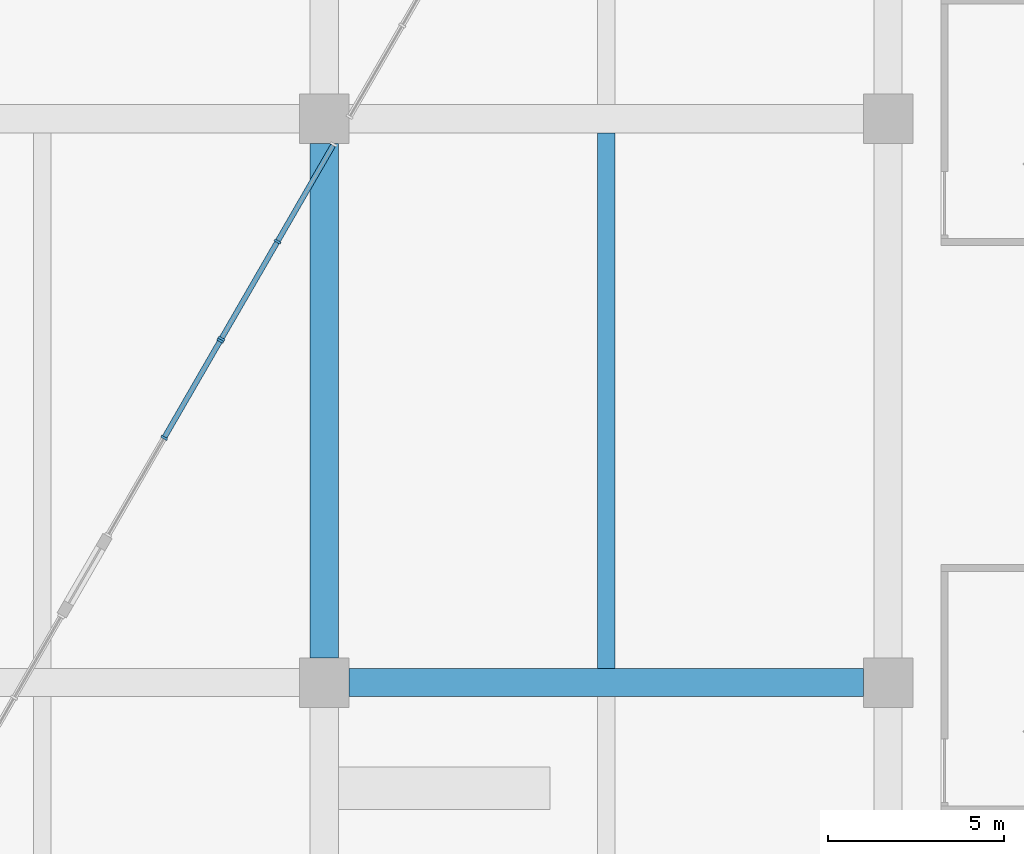
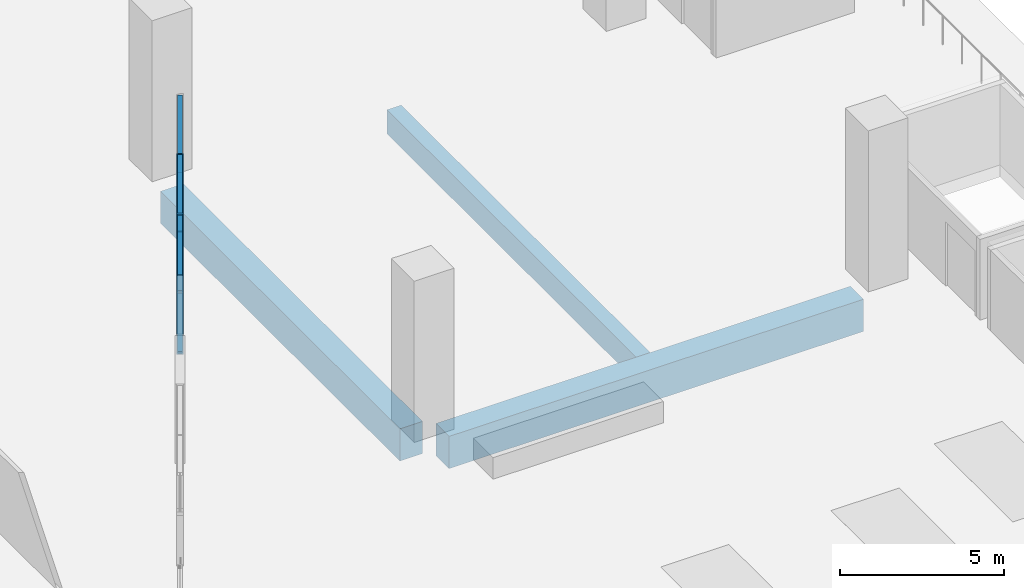
# One storey, part 6 of 25: 10 members, 3 beams, 2 elements without a shape of their own.
"""IFC4 building model written with IfcOpenShell, lengths in metres."""

from ifc_helpers import new_model, si_unit, direction, frame, origin, origin_2d, place, context, subcontext, project, spatial, rectangle, extrude, material, material_profile, profile_set, type_object, element, aggregate, save


model = new_model("IFC4")

# Units and contexts
model_context = context("Model", 3, precision=1e-05, world=origin(), true_north=direction((0.0, 1.0)))
body_context = subcontext(model_context, "Body", "Model", "MODEL_VIEW")
ifc_project = project(units=[si_unit("LENGTHUNIT", "METRE"), si_unit("AREAUNIT", "SQUARE_METRE"), si_unit("VOLUMEUNIT", "CUBIC_METRE"), si_unit("PLANEANGLEUNIT", "RADIAN"), si_unit("MASSUNIT", "GRAM", prefix="KILO")], contexts=[model_context])

# Site, building, storey
site_placement = place(None, origin())
site = spatial("IfcSite", under=ifc_project, at=site_placement, CompositionType="ELEMENT")
building_placement = place(site_placement, origin())
building = spatial("IfcBuilding", under=site, at=building_placement, Name="Calabash Gate Tower", CompositionType="ELEMENT")
storey_placement = place(building_placement, frame((0.0, 0.0, 40.0)))
storey = spatial("IfcBuildingStorey", under=building, at=storey_placement, Name="L05", CompositionType="ELEMENT", Elevation=40.0)

# Beams
ifc_material_1 = material(Name="Concrete C50/60", Category="concrete")
ifc_material_profile_1 = material_profile(ifc_material_1, rectangle(XDim=0.5, YDim=0.89990234375, at=origin_2d()))
ifc_profile_set_1 = profile_set([ifc_material_profile_1], Name="Concrete C50/60")
beam_type_1 = type_object("IfcBeamType", Name="Floor beam RC 500x900 Concrete C50/60", PredefinedType="BEAM", material=ifc_profile_set_1)
beam_placement = place(storey_placement, frame((24.0, -23.60009765625, -0.89990234375), z_axis=(0.0, 1.0, 0.0), x_axis=(-1.0, 0.0, 0.0)))
element("IfcBeam", 1, at=beam_placement, inside=storey, type_object=beam_type_1, Name="Floor beam L05 13", PredefinedType="BEAM", context=body_context, shape_type="SweptSolid", body=[
    extrude(rectangle(XDim=0.5, YDim=0.89990234375, at=origin_2d()), origin(), (0.0, 0.0, 1.0), 15.2001953125),
])
ifc_material_2 = material(Name="Concrete C50/60", Category="concrete")
ifc_material_profile_2 = material_profile(ifc_material_2, rectangle(XDim=0.800048828125, YDim=1.199951171875, at=origin_2d()))
ifc_profile_set_2 = profile_set([ifc_material_profile_2], Name="Concrete C50/60")
beam_type_2 = type_object("IfcBeamType", Name="Grid girder RC 800x1200 Concrete C50/60", PredefinedType="BEAM", material=ifc_profile_set_2)
for number, where, z_axis, x_axis, name in (
    (2, (16.0, -23.300048828125, -1.050048828125), (0.0, 1.0, 0.0), (-1.0, 0.0, 0.0), "Grid girder L05 15"),
    (3, (16.699951171875, -24.0, -1.050048828125), (1.0, 0.0, 0.0), (0.0, 1.0, 0.0), "Grid girder L05 33"),
):
    element("IfcBeam", number, at=place(storey_placement, frame(where, z_axis=z_axis, x_axis=x_axis)), inside=storey, type_object=beam_type_2, Name=name, PredefinedType="BEAM", context=body_context, shape_type="SweptSolid", body=[
        extrude(rectangle(XDim=0.800048828125, YDim=1.199951171875, at=origin_2d()), origin(), (0.0, 0.0, 1.0), 14.60009765625),
    ])

# Curtain wall, members
ifc_material_3 = material(Name="Anodised aluminium frame, bronze finish, clear laminated impact-rated glazing", Category="aluminium")
curtain_wall_type = type_object("IfcCurtainWallType", Name="Curtain wall CWF podium shopfront", PredefinedType="NOTDEFINED", material=ifc_material_3)
curtain_wall_1_placement = place(storey_placement, origin())
curtain_wall_1 = element("IfcCurtainWall", 4, at=curtain_wall_1_placement, inside=storey, type_object=curtain_wall_type, Name="Curtain wall CWF L05 lobby 2.1.0", PredefinedType="NOTDEFINED")
ifc_material_4 = material(Name="Anodised aluminium frame, bronze finish", Category="aluminium")
ifc_material_profile_3 = material_profile(ifc_material_4, rectangle(XDim=0.199951171875, YDim=0.06494140625, at=origin_2d()))
ifc_profile_set_3 = profile_set([ifc_material_profile_3], Name="Anodised aluminium frame, bronze finish")
member_type_1 = type_object("IfcMemberType", Name="Mullion CWF 65x200", PredefinedType="MULLION", material=ifc_profile_set_3)
member_1_placement = place(storey_placement, frame((11.460205078125, -17.055419921875, 0.0), z_axis=(0.0, 0.0, 1.0), x_axis=(-0.866025423864, 0.49999996522, 0.0)))
member_1 = element("IfcMember", 5, at=member_1_placement, type_object=member_type_1, Name="CWF mullion 2", PredefinedType="MULLION", context=body_context, shape_type="SweptSolid", body=[
    extrude(rectangle(XDim=0.199951171875, YDim=0.06494140625, at=origin_2d()), origin(), (0.0, 0.0, 1.0), 2.949951171875),
])
member_2_placement = place(storey_placement, frame((13.051513671875, -14.299072265625, 0.0), z_axis=(0.0, 0.0, 1.0), x_axis=(-0.866025423864, 0.49999996522, 0.0)))
member_2 = element("IfcMember", 6, at=member_2_placement, type_object=member_type_1, Name="CWF mullion 3", PredefinedType="MULLION", context=body_context, shape_type="SweptSolid", body=[
    extrude(rectangle(XDim=0.199951171875, YDim=0.06494140625, at=origin_2d()), origin(), (0.0, 0.0, 1.0), 2.949951171875),
])

curtain_wall_2_placement = place(storey_placement, origin())
curtain_wall_2 = element("IfcCurtainWall", 7, at=curtain_wall_2_placement, inside=storey, type_object=curtain_wall_type, Name="Curtain wall CWF L05 lobby 2.1.1", PredefinedType="NOTDEFINED")
member_3_placement = place(storey_placement, frame((13.083984375, -14.242919921875, 0.0), z_axis=(0.0, 0.0, 1.0), x_axis=(-0.86602535653, 0.500000081848, 0.0)))
member_3 = element("IfcMember", 8, at=member_3_placement, type_object=member_type_1, Name="CWF mullion 1", PredefinedType="MULLION", context=body_context, shape_type="SweptSolid", body=[
    extrude(rectangle(XDim=0.199951171875, YDim=0.06494140625, at=origin_2d()), origin(), (0.0, 0.0, 1.0), 2.949951171875),
])
member_4_placement = place(storey_placement, frame((14.675537109375, -11.486572265625, 0.0), z_axis=(0.0, 0.0, 1.0), x_axis=(-0.86602535653, 0.500000081848, 0.0)))
member_4 = element("IfcMember", 9, at=member_4_placement, type_object=member_type_1, Name="CWF mullion 2", PredefinedType="MULLION", context=body_context, shape_type="SweptSolid", body=[
    extrude(rectangle(XDim=0.199951171875, YDim=0.06494140625, at=origin_2d()), origin(), (0.0, 0.0, 1.0), 2.949951171875),
])

# Member
ifc_material_5 = material(Name="Anodised aluminium frame, bronze finish", Category="aluminium")
ifc_material_profile_4 = material_profile(ifc_material_5, rectangle(XDim=0.14990234375, YDim=0.06494140625, at=origin_2d()))
ifc_profile_set_4 = profile_set([ifc_material_profile_4], Name="Anodised aluminium frame, bronze finish")
member_type_2 = type_object("IfcMemberType", Name="Transom CWF 65x150", PredefinedType="USERDEFINED", material=ifc_profile_set_4)
member_5_placement = place(storey_placement, frame((11.4765625, -17.02734375, 0.032470703125), z_axis=(0.500004896655, 0.866022576681, 0.0), x_axis=(-0.866022576681, 0.500004896655, 0.0)))
member_5 = element("IfcMember", 10, at=member_5_placement, type_object=member_type_2, Name="CWF transom 2.1", ObjectType="TRANSOM", PredefinedType="USERDEFINED", context=body_context, shape_type="SweptSolid", body=[
    extrude(rectangle(XDim=0.14990234375, YDim=0.06494140625, at=origin_2d()), origin(), (0.0, 0.0, 1.0), 3.11767578125),
])

member_6_placement = place(storey_placement, frame((11.4765625, -17.02734375, 2.91748046875), z_axis=(0.500004896655, 0.866022576681, 0.0), x_axis=(-0.866022576681, 0.500004896655, 0.0)))
member_6 = element("IfcMember", 11, at=member_6_placement, type_object=member_type_2, Name="CWF transom 2.2", ObjectType="TRANSOM", PredefinedType="USERDEFINED", context=body_context, shape_type="SweptSolid", body=[
    extrude(rectangle(XDim=0.14990234375, YDim=0.06494140625, at=origin_2d()), origin(), (0.0, 0.0, 1.0), 3.11767578125),
])

aggregate(curtain_wall_1, [member_1, member_2, member_5, member_6])

member_7_placement = place(storey_placement, frame((13.100341796875, -14.214599609375, 0.032470703125), z_axis=(0.500004896655, 0.866022576681, 0.0), x_axis=(-0.866022576681, 0.500004896655, 0.0)))
member_7 = element("IfcMember", 12, at=member_7_placement, type_object=member_type_2, Name="CWF transom 1.1", ObjectType="TRANSOM", PredefinedType="USERDEFINED", context=body_context, shape_type="SweptSolid", body=[
    extrude(rectangle(XDim=0.14990234375, YDim=0.06494140625, at=origin_2d()), origin(), (0.0, 0.0, 1.0), 3.11767578125),
])

member_8_placement = place(storey_placement, frame((13.100341796875, -14.214599609375, 2.91748046875), z_axis=(0.500004896655, 0.866022576681, 0.0), x_axis=(-0.866022576681, 0.500004896655, 0.0)))
member_8 = element("IfcMember", 13, at=member_8_placement, type_object=member_type_2, Name="CWF transom 1.2", ObjectType="TRANSOM", PredefinedType="USERDEFINED", context=body_context, shape_type="SweptSolid", body=[
    extrude(rectangle(XDim=0.14990234375, YDim=0.06494140625, at=origin_2d()), origin(), (0.0, 0.0, 1.0), 3.11767578125),
])

member_9_placement = place(storey_placement, frame((14.691650390625, -11.458251953125, 0.032470703125), z_axis=(0.500004896655, 0.866022576681, 0.0), x_axis=(-0.866022576681, 0.500004896655, 0.0)))
member_9 = element("IfcMember", 14, at=member_9_placement, type_object=member_type_2, Name="CWF transom 2.1", ObjectType="TRANSOM", PredefinedType="USERDEFINED", context=body_context, shape_type="SweptSolid", body=[
    extrude(rectangle(XDim=0.14990234375, YDim=0.06494140625, at=origin_2d()), origin(), (0.0, 0.0, 1.0), 3.11767578125),
])

member_10_placement = place(storey_placement, frame((14.691650390625, -11.458251953125, 2.91748046875), z_axis=(0.500004896655, 0.866022576681, 0.0), x_axis=(-0.866022576681, 0.500004896655, 0.0)))
member_10 = element("IfcMember", 15, at=member_10_placement, type_object=member_type_2, Name="CWF transom 2.2", ObjectType="TRANSOM", PredefinedType="USERDEFINED", context=body_context, shape_type="SweptSolid", body=[
    extrude(rectangle(XDim=0.14990234375, YDim=0.06494140625, at=origin_2d()), origin(), (0.0, 0.0, 1.0), 3.11767578125),
])

aggregate(curtain_wall_2, [member_3, member_4, member_7, member_8, member_9, member_10])

save(model, "model.ifc")
